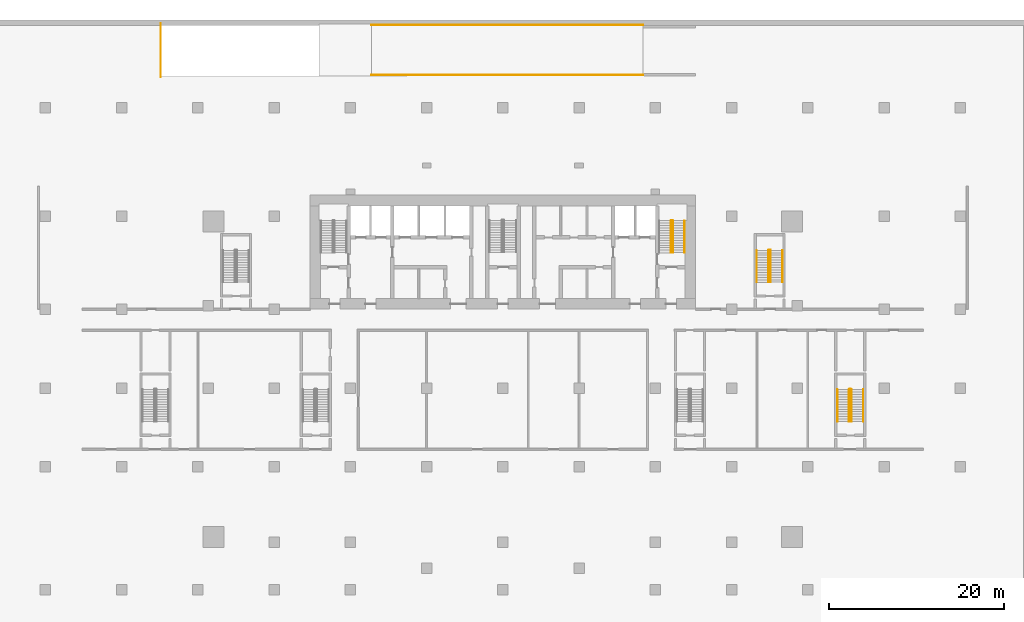
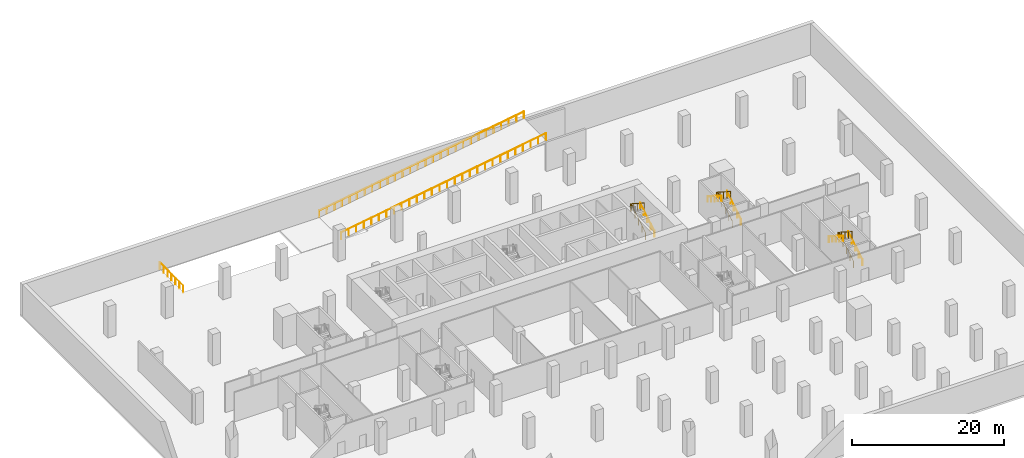
# One storey, part 8 of 8: 11 railings.
"""IFC4 building model written with IfcOpenShell, lengths in metres."""

import ifcopenshell
import ifcopenshell.guid

model = None  # the IFC model being written
_history = None  # IfcOwnerHistory: only IFC2X3 demands one
_inside = {}  # id of a spatial element -> (the spatial element, [elements in it])
_under = {}  # id of a project, library or spatial element -> (it, [spatial elements below it])
_declared = {}  # id of a project -> (the project, [libraries it declares])
_typed = {}  # id of a type object -> (the type object, [elements of that type])
_made_of = {}  # id of a material, layer set ... -> (it, [elements and type objects made of it])


def new_model(schema):
    """Start an empty IFC model of exactly this schema.

    Asked for "IFC4X3", IfcOpenShell would pick the latest addendum, in which some entities
    have other attributes; the version numbers below select the first issue.
    IFC2X3 requires an IfcOwnerHistory on every rooted entity: one is made here for all.
    """
    global model, _history
    if schema == "IFC4X3":
        model = ifcopenshell.file(schema_version=(4, 3, 0, 0))
    else:
        model = ifcopenshell.file(schema=schema)
    _inside.clear()
    _under.clear()
    _declared.clear()
    _typed.clear()
    _made_of.clear()
    _history = None
    if model.schema == "IFC2X3":
        org = make("IfcOrganization", Name="unknown")
        user = make(
            "IfcPersonAndOrganization",
            ThePerson=make("IfcPerson", FamilyName="unknown"),
            TheOrganization=org,
        )
        app = make(
            "IfcApplication",
            ApplicationDeveloper=org,
            Version="unknown",
            ApplicationFullName="unknown",
            ApplicationIdentifier="unknown",
        )
        _history = make(
            "IfcOwnerHistory",
            OwningUser=user,
            OwningApplication=app,
            ChangeAction="ADDED",
            CreationDate=0,
        )
    return model


def make(cls, **values):
    """One entity of the class cls with the attributes given. An attribute that is None is left unset."""
    return model.create_entity(
        cls, **{name: value for name, value in values.items() if value is not None}
    )


def rooted(cls, **values):
    """An entity with a GlobalId (a new one), such as an element, a storey or a relation."""
    return make(cls, GlobalId=ifcopenshell.guid.new(), OwnerHistory=_history, **values)


def si_unit(unit_type, name, prefix=None):
    """IfcSIUnit, for example si_unit("LENGTHUNIT", "METRE", prefix="MILLI")."""
    return make("IfcSIUnit", UnitType=unit_type, Prefix=prefix, Name=name)


def assignment(units):
    """IfcUnitAssignment: the units of a project."""
    return None if units is None else make("IfcUnitAssignment", Units=units)


def point(xyz):
    """IfcCartesianPoint."""
    return None if xyz is None else make("IfcCartesianPoint", Coordinates=xyz)


def direction(xyz):
    """IfcDirection."""
    return None if xyz is None else make("IfcDirection", DirectionRatios=xyz)


def frame(location, z_axis=None, x_axis=None):
    """IfcAxis2Placement3D, a coordinate frame: its origin and axes. An axis left out is left unset."""
    return make(
        "IfcAxis2Placement3D",
        Location=point(location),
        Axis=direction(z_axis),
        RefDirection=direction(x_axis),
    )


def frame_2d(location, x_axis=None):
    """IfcAxis2Placement2D, a coordinate frame in the plane: its origin and x axis."""
    return make(
        "IfcAxis2Placement2D", Location=point(location), RefDirection=direction(x_axis)
    )


def origin():
    """The frame at (0, 0, 0) with its axes left unset."""
    return frame((0.0, 0.0, 0.0))


def origin_2d():
    """The frame at (0, 0) in the plane with its x axis left unset."""
    return frame_2d((0.0, 0.0))


def place(relative_to, where):
    """IfcLocalPlacement: puts the frame where relative to a parent placement (None: the world)."""
    return make(
        "IfcLocalPlacement", PlacementRelTo=relative_to, RelativePlacement=where
    )


def context(
    kind, dimensions, precision=None, world=None, true_north=None, identifier=None
):
    """IfcGeometricRepresentationContext, for example the 3D "Model" context."""
    return make(
        "IfcGeometricRepresentationContext",
        ContextIdentifier=identifier,
        ContextType=kind,
        CoordinateSpaceDimension=dimensions,
        Precision=precision,
        WorldCoordinateSystem=world,
        TrueNorth=true_north,
    )


def subcontext(parent, identifier, kind, view, scale=None):
    """IfcGeometricRepresentationSubContext, for example "Body" below "Model"."""
    return make(
        "IfcGeometricRepresentationSubContext",
        ContextIdentifier=identifier,
        ContextType=kind,
        ParentContext=parent,
        TargetScale=scale,
        TargetView=view,
    )


def project(units=None, contexts=None):
    """IfcProject with its units and contexts."""
    return rooted(
        "IfcProject",
        Name="project",
        RepresentationContexts=contexts,
        UnitsInContext=assignment(units),
    )


def spatial(cls, under=None, at=None, **own):
    """A site, building, storey or space (cls), placed at a placement, below another one or the project."""
    s = rooted(cls, ObjectPlacement=at, **own)
    if under is not None:
        _under.setdefault(under.id(), (under, []))[1].append(s)
    return s


def profile(cls, at=None, kind="AREA", **sizes):
    """A parametric profile (cls). Its sizes go by their IFC names, for example OverallWidth=200.0."""
    return make(cls, ProfileType=kind, Position=at, **sizes)


def circle(**sizes):
    """IfcCircleProfileDef."""
    return profile("IfcCircleProfileDef", **sizes)


def extrude(swept, where, along, depth):
    """IfcExtrudedAreaSolid: the profile swept, set in the frame where, extruded along a direction by depth."""
    return make(
        "IfcExtrudedAreaSolid",
        SweptArea=swept,
        Position=where,
        ExtrudedDirection=direction(along),
        Depth=depth,
    )


def shape(context_of_items, identifier, shape_type, items):
    """IfcShapeRepresentation: the items that make up one representation, for example the "Body"."""
    return make(
        "IfcShapeRepresentation",
        ContextOfItems=context_of_items,
        RepresentationIdentifier=identifier,
        RepresentationType=shape_type,
        Items=items,
    )


def material(Name=None, Category=None):
    """IfcMaterial."""
    return make("IfcMaterial", Name=Name, Category=Category)


def made_of(thing, what):
    """Note that an element or type object is made of a material, layer set ...; save() writes the relation."""
    if what is not None:
        _made_of.setdefault(what.id(), (what, []))[1].append(thing)
    return thing


def type_object(cls, material=None, **own):
    """A type object (cls), such as IfcWallType, which elements share."""
    return made_of(rooted(cls, **own), material)


def element(
    cls,
    number,
    at=None,
    inside=None,
    cuts=None,
    type_object=None,
    material=None,
    context=None,
    identifier="Body",
    shape_type=None,
    held_by="IfcProductDefinitionShape",
    body=None,
    shapes=None,
    **own,
):
    """One element of the class cls, such as IfcWall. Its Tag is "e" and its number.

    at: its placement. inside: the storey or other place that contains it. cuts: it is an
    opening in that element (IfcRelVoidsElement). A single representation is given by context,
    identifier, shape_type and body (its items); several are given by shapes. held_by: the class
    of the entity that holds the representations. save() writes the other relations.
    """
    e = rooted(cls, Tag="e%d" % number, ObjectPlacement=at, **own)
    if body is not None:
        shapes = [shape(context, identifier, shape_type, body)]
    if shapes is not None:
        e.Representation = make(held_by, Representations=shapes)
    if inside is not None:
        _inside.setdefault(inside.id(), (inside, []))[1].append(e)
    if cuts is not None:
        rooted(
            "IfcRelVoidsElement", RelatingBuildingElement=cuts, RelatedOpeningElement=e
        )
    if type_object is not None:
        _typed.setdefault(type_object.id(), (type_object, []))[1].append(e)
    return made_of(e, material)


def aggregate(whole, parts):
    """IfcRelAggregates: a whole, such as a stair, and the parts it consists of."""
    return rooted("IfcRelAggregates", RelatingObject=whole, RelatedObjects=parts)


def save(model, path):
    """Write the relations noted so far, then the file.

    IfcRelAggregates (storeys below a building ...), IfcRelContainedInSpatialStructure (elements
    in a storey), IfcRelDefinesByType, IfcRelAssociatesMaterial and IfcRelDeclares: one each for
    every whole, place, type object, material and project.
    """
    for whole, parts in _under.values():
        aggregate(whole, parts)
    for where, things in _inside.values():
        rooted(
            "IfcRelContainedInSpatialStructure",
            RelatedElements=things,
            RelatingStructure=where,
        )
    for kind, things in _typed.values():
        rooted("IfcRelDefinesByType", RelatedObjects=things, RelatingType=kind)
    for what, things in _made_of.values():
        rooted("IfcRelAssociatesMaterial", RelatedObjects=things, RelatingMaterial=what)
    for by, libraries in _declared.values():
        rooted("IfcRelDeclares", RelatingContext=by, RelatedDefinitions=libraries)
    model.write(path)


model = new_model("IFC4")

# Units and contexts
model_context = context("Model", 3, precision=1e-05, world=origin(), true_north=direction((0.0, 1.0)))
body_context = subcontext(model_context, "Body", "Model", "MODEL_VIEW")
ifc_project = project(units=[si_unit("LENGTHUNIT", "METRE"), si_unit("AREAUNIT", "SQUARE_METRE"), si_unit("VOLUMEUNIT", "CUBIC_METRE"), si_unit("PLANEANGLEUNIT", "RADIAN"), si_unit("MASSUNIT", "GRAM", prefix="KILO")], contexts=[model_context])

# Site, building, storey
site_placement = place(None, origin())
site = spatial("IfcSite", under=ifc_project, at=site_placement, CompositionType="ELEMENT")
building_placement = place(site_placement, origin())
building = spatial("IfcBuilding", under=site, at=building_placement, Name="Bicima Exchange Tower", CompositionType="ELEMENT")
storey_placement = place(building_placement, frame((0.0, 0.0, -10.0)))
storey = spatial("IfcBuildingStorey", under=building, at=storey_placement, Name="B2", CompositionType="ELEMENT", Elevation=-10.0)

# Railings
ifc_material = material(Name="Stainless steel", Category="steel")
railing_type_1 = type_object("IfcRailingType", Name="Stair guard 1100", PredefinedType="GUARDRAIL", material=ifc_material)
railing_1_placement = place(storey_placement, frame((19.39990234375, -6.550048828125, 0.178466796875)))
element("IfcRailing", 1, at=railing_1_placement, inside=storey, type_object=railing_type_1, Name="B2 ST-E stair guard 1", PredefinedType="GUARDRAIL", context=body_context, shape_type="SweptSolid", body=[
    extrude(circle(Radius=0.02392578125, at=origin_2d()), frame((0.0, 0.0, 1.076171875), z_axis=(0.0, 0.843127859045, 0.537713132908), x_axis=(-1.0, 0.0, 0.0)), (0.0, 0.0, 1.0), 4.3173828125),
    extrude(circle(Radius=0.02392578125, at=origin_2d()), frame((0.0, 3.64013671875, 3.3974609375), z_axis=(-0.707106781187, 0.707106781187, 0.0), x_axis=(-0.707106781187, -0.707106781187, 0.0)), (0.0, 0.0, 1.0), 0.0703125),
    extrude(circle(Radius=0.02392578125, at=origin_2d()), frame((-0.0498046875, 3.68994140625, 3.3974609375), z_axis=(-1.0, 0.0, 0.0), x_axis=(0.0, -1.0, 0.0)), (0.0, 0.0, 1.0), 0.10009765625),
    extrude(circle(Radius=0.02392578125, at=origin_2d()), frame((-0.14990234375, 3.68994140625, 3.3974609375), z_axis=(-0.26077077684, -0.25949872427, 0.929870428634), x_axis=(0.705375805398, -0.708833529934, 0.0)), (0.0, 0.0, 1.0), 0.19189453125),
    extrude(circle(Radius=0.02392578125, at=origin_2d()), frame((-0.199951171875, 3.64013671875, 3.576171875), z_axis=(0.0, -0.843127859045, 0.537713132908), x_axis=(1.0, 0.0, 0.0)), (0.0, 0.0, 1.0), 4.3173828125),
    extrude(circle(Radius=0.02099609375, at=origin_2d()), origin(), (0.0, 0.0, 1.0), 1.052001953125),
    extrude(circle(Radius=0.02099609375, at=origin_2d()), frame((0.0, 0.91015625, 0.580322265625)), (0.0, 0.0, 1.0), 1.052001953125),
    extrude(circle(Radius=0.02099609375, at=origin_2d()), frame((0.0, 1.820068359375, 1.16064453125)), (0.0, 0.0, 1.0), 1.052001953125),
    extrude(circle(Radius=0.02099609375, at=origin_2d()), frame((0.0, 2.72998046875, 1.7412109375)), (0.0, 0.0, 1.0), 1.052001953125),
    extrude(circle(Radius=0.02099609375, at=origin_2d()), frame((0.0, 3.64013671875, 2.321533203125)), (0.0, 0.0, 1.0), 1.052001953125),
    extrude(circle(Radius=0.02099609375, at=origin_2d()), frame((-0.0498046875, 3.68994140625, 2.321533203125)), (0.0, 0.0, 1.0), 1.052001953125),
    extrude(circle(Radius=0.02099609375, at=origin_2d()), frame((-0.14990234375, 3.68994140625, 2.321533203125)), (0.0, 0.0, 1.0), 1.052001953125),
    extrude(circle(Radius=0.02099609375, at=origin_2d()), frame((-0.199951171875, 3.64013671875, 2.5)), (0.0, 0.0, 1.0), 1.052001953125),
    extrude(circle(Radius=0.02099609375, at=origin_2d()), frame((-0.199951171875, 2.72998046875, 3.080322265625)), (0.0, 0.0, 1.0), 1.052001953125),
    extrude(circle(Radius=0.02099609375, at=origin_2d()), frame((-0.199951171875, 1.820068359375, 3.66064453125)), (0.0, 0.0, 1.0), 1.052001953125),
    extrude(circle(Radius=0.02099609375, at=origin_2d()), frame((-0.199951171875, 0.91015625, 4.2412109375)), (0.0, 0.0, 1.0), 1.052001953125),
    extrude(circle(Radius=0.02099609375, at=origin_2d()), frame((-0.199951171875, 0.0, 4.821533203125)), (0.0, 0.0, 1.0), 1.052001953125),
])
railing_2_placement = place(storey_placement, frame((30.574951171875, -9.925048828125, 0.178466796875)))
element("IfcRailing", 2, at=railing_2_placement, inside=storey, type_object=railing_type_1, Name="B2 ST-EE stair guard 1", PredefinedType="GUARDRAIL", context=body_context, shape_type="SweptSolid", body=[
    extrude(circle(Radius=0.02392578125, at=origin_2d()), frame((0.0, 0.0, 1.076171875), z_axis=(0.0, 0.843127859045, 0.537713132908), x_axis=(-1.0, 0.0, 0.0)), (0.0, 0.0, 1.0), 4.3173828125),
    extrude(circle(Radius=0.02392578125, at=origin_2d()), frame((0.0, 3.64013671875, 3.3974609375), z_axis=(-0.708833529934, 0.705375805398, 0.0), x_axis=(-0.705375805398, -0.708833529934, 0.0)), (0.0, 0.0, 1.0), 0.070556640625),
    extrude(circle(Radius=0.02392578125, at=origin_2d()), frame((-0.050048828125, 3.68994140625, 3.3974609375), z_axis=(-1.0, 0.0, 0.0), x_axis=(0.0, -1.0, 0.0)), (0.0, 0.0, 1.0), 0.14990234375),
    extrude(circle(Radius=0.02392578125, at=origin_2d()), frame((-0.199951171875, 3.68994140625, 3.3974609375), z_axis=(-0.26077077684, -0.25949872427, 0.929870428634), x_axis=(0.705375805398, -0.708833529934, 0.0)), (0.0, 0.0, 1.0), 0.19189453125),
    extrude(circle(Radius=0.02392578125, at=origin_2d()), frame((-0.25, 3.64013671875, 3.576171875), z_axis=(0.0, -0.843127859045, 0.537713132908), x_axis=(1.0, 0.0, 0.0)), (0.0, 0.0, 1.0), 4.3173828125),
    extrude(circle(Radius=0.02099609375, at=origin_2d()), origin(), (0.0, 0.0, 1.0), 1.052001953125),
    extrude(circle(Radius=0.02099609375, at=origin_2d()), frame((0.0, 0.91015625, 0.580322265625)), (0.0, 0.0, 1.0), 1.052001953125),
    extrude(circle(Radius=0.02099609375, at=origin_2d()), frame((0.0, 1.820068359375, 1.16064453125)), (0.0, 0.0, 1.0), 1.052001953125),
    extrude(circle(Radius=0.02099609375, at=origin_2d()), frame((0.0, 2.72998046875, 1.7412109375)), (0.0, 0.0, 1.0), 1.052001953125),
    extrude(circle(Radius=0.02099609375, at=origin_2d()), frame((0.0, 3.64013671875, 2.321533203125)), (0.0, 0.0, 1.0), 1.052001953125),
    extrude(circle(Radius=0.02099609375, at=origin_2d()), frame((-0.050048828125, 3.68994140625, 2.321533203125)), (0.0, 0.0, 1.0), 1.052001953125),
    extrude(circle(Radius=0.02099609375, at=origin_2d()), frame((-0.199951171875, 3.68994140625, 2.321533203125)), (0.0, 0.0, 1.0), 1.052001953125),
    extrude(circle(Radius=0.02099609375, at=origin_2d()), frame((-0.25, 3.64013671875, 2.5)), (0.0, 0.0, 1.0), 1.052001953125),
    extrude(circle(Radius=0.02099609375, at=origin_2d()), frame((-0.25, 2.72998046875, 3.080322265625)), (0.0, 0.0, 1.0), 1.052001953125),
    extrude(circle(Radius=0.02099609375, at=origin_2d()), frame((-0.25, 1.820068359375, 3.66064453125)), (0.0, 0.0, 1.0), 1.052001953125),
    extrude(circle(Radius=0.02099609375, at=origin_2d()), frame((-0.25, 0.91015625, 4.2412109375)), (0.0, 0.0, 1.0), 1.052001953125),
    extrude(circle(Radius=0.02099609375, at=origin_2d()), frame((-0.25, 0.0, 4.821533203125)), (0.0, 0.0, 1.0), 1.052001953125),
])
railing_3_placement = place(storey_placement, frame((39.77490234375, -25.824951171875, 0.178466796875)))
element("IfcRailing", 3, at=railing_3_placement, inside=storey, type_object=railing_type_1, Name="B2 PS-E stair guard 1", PredefinedType="GUARDRAIL", context=body_context, shape_type="SweptSolid", body=[
    extrude(circle(Radius=0.02392578125, at=origin_2d()), frame((0.0, 0.0, 1.076171875), z_axis=(0.0, 0.843111507901, 0.53773877045), x_axis=(-1.0, 0.0, 0.0)), (0.0, 0.0, 1.0), 4.317138671875),
    extrude(circle(Radius=0.02392578125, at=origin_2d()), frame((0.0, 3.639892578125, 3.3974609375), z_axis=(-0.705375805398, 0.708833529934, 0.0), x_axis=(-0.708833529934, -0.705375805398, 0.0)), (0.0, 0.0, 1.0), 0.070556640625),
    extrude(circle(Radius=0.02392578125, at=origin_2d()), frame((-0.0498046875, 3.68994140625, 3.3974609375), z_axis=(-1.0, 0.0, 0.0), x_axis=(0.0, -1.0, 0.0)), (0.0, 0.0, 1.0), 0.150146484375),
    extrude(circle(Radius=0.02392578125, at=origin_2d()), frame((-0.199951171875, 3.68994140625, 3.3974609375), z_axis=(-0.260684529273, -0.260684529273, 0.929562882432), x_axis=(0.707106781187, -0.707106781187, 0.0)), (0.0, 0.0, 1.0), 0.19189453125),
    extrude(circle(Radius=0.02392578125, at=origin_2d()), frame((-0.25, 3.639892578125, 3.576171875), z_axis=(0.0, -0.843111507901, 0.53773877045), x_axis=(1.0, 0.0, 0.0)), (0.0, 0.0, 1.0), 4.317138671875),
    extrude(circle(Radius=0.02099609375, at=origin_2d()), origin(), (0.0, 0.0, 1.0), 1.052001953125),
    extrude(circle(Radius=0.02099609375, at=origin_2d()), frame((0.0, 0.909912109375, 0.580322265625)), (0.0, 0.0, 1.0), 1.052001953125),
    extrude(circle(Radius=0.02099609375, at=origin_2d()), frame((0.0, 1.81982421875, 1.16064453125)), (0.0, 0.0, 1.0), 1.052001953125),
    extrude(circle(Radius=0.02099609375, at=origin_2d()), frame((0.0, 2.72998046875, 1.7412109375)), (0.0, 0.0, 1.0), 1.052001953125),
    extrude(circle(Radius=0.02099609375, at=origin_2d()), frame((0.0, 3.639892578125, 2.321533203125)), (0.0, 0.0, 1.0), 1.052001953125),
    extrude(circle(Radius=0.02099609375, at=origin_2d()), frame((-0.0498046875, 3.68994140625, 2.321533203125)), (0.0, 0.0, 1.0), 1.052001953125),
    extrude(circle(Radius=0.02099609375, at=origin_2d()), frame((-0.199951171875, 3.68994140625, 2.321533203125)), (0.0, 0.0, 1.0), 1.052001953125),
    extrude(circle(Radius=0.02099609375, at=origin_2d()), frame((-0.25, 3.639892578125, 2.5)), (0.0, 0.0, 1.0), 1.052001953125),
    extrude(circle(Radius=0.02099609375, at=origin_2d()), frame((-0.25, 2.72998046875, 3.080322265625)), (0.0, 0.0, 1.0), 1.052001953125),
    extrude(circle(Radius=0.02099609375, at=origin_2d()), frame((-0.25, 1.81982421875, 3.66064453125)), (0.0, 0.0, 1.0), 1.052001953125),
    extrude(circle(Radius=0.02099609375, at=origin_2d()), frame((-0.25, 0.909912109375, 4.2412109375)), (0.0, 0.0, 1.0), 1.052001953125),
    extrude(circle(Radius=0.02099609375, at=origin_2d()), frame((-0.25, 0.0, 4.821533203125)), (0.0, 0.0, 1.0), 1.052001953125),
])
railing_type_2 = type_object("IfcRailingType", Name="Stair handrail 900", PredefinedType="HANDRAIL", material=ifc_material)
for number, where, name in (
    (4, (20.75, -6.550048828125, 0.178466796875), "B2 ST-E stair handrail 1"),
    (5, (31.925048828125, -9.925048828125, 0.178466796875), "B2 ST-EE stair handrail 1"),
):
    element("IfcRailing", number, at=place(storey_placement, frame(where)), inside=storey, type_object=railing_type_2, Name=name, PredefinedType="HANDRAIL", context=body_context, shape_type="SweptSolid", body=[
        extrude(circle(Radius=0.02392578125, at=origin_2d()), frame((0.0, 0.0, 0.8759765625), z_axis=(0.0, 0.843127859045, 0.537713132908), x_axis=(-1.0, 0.0, 0.0)), (0.0, 0.0, 1.0), 4.3173828125),
        extrude(circle(Radius=0.02099609375, at=origin_2d()), origin(), (0.0, 0.0, 1.0), 0.851806640625),
        extrude(circle(Radius=0.02099609375, at=origin_2d()), frame((0.0, 0.91015625, 0.580322265625)), (0.0, 0.0, 1.0), 0.851806640625),
        extrude(circle(Radius=0.02099609375, at=origin_2d()), frame((0.0, 1.820068359375, 1.16064453125)), (0.0, 0.0, 1.0), 0.851806640625),
        extrude(circle(Radius=0.02099609375, at=origin_2d()), frame((0.0, 2.72998046875, 1.7412109375)), (0.0, 0.0, 1.0), 0.851806640625),
        extrude(circle(Radius=0.02099609375, at=origin_2d()), frame((0.0, 3.64013671875, 2.321533203125)), (0.0, 0.0, 1.0), 0.851806640625),
    ])
railing_4_placement = place(storey_placement, frame((28.97509765625, -6.284912109375, 2.678466796875)))
element("IfcRailing", 6, at=railing_4_placement, inside=storey, type_object=railing_type_2, Name="B2 ST-EE stair handrail 2", PredefinedType="HANDRAIL", context=body_context, shape_type="SweptSolid", body=[
    extrude(circle(Radius=0.02392578125, at=origin_2d()), frame((0.0, 0.0, 0.8759765625), z_axis=(0.0, -0.843127859045, 0.537713132908), x_axis=(1.0, 0.0, 0.0)), (0.0, 0.0, 1.0), 4.3173828125),
    extrude(circle(Radius=0.02099609375, at=origin_2d()), origin(), (0.0, 0.0, 1.0), 0.851806640625),
    extrude(circle(Radius=0.02099609375, at=origin_2d()), frame((0.0, -0.91015625, 0.580322265625)), (0.0, 0.0, 1.0), 0.851806640625),
    extrude(circle(Radius=0.02099609375, at=origin_2d()), frame((0.0, -1.820068359375, 1.16064453125)), (0.0, 0.0, 1.0), 0.851806640625),
    extrude(circle(Radius=0.02099609375, at=origin_2d()), frame((0.0, -2.72998046875, 1.7412109375)), (0.0, 0.0, 1.0), 0.851806640625),
    extrude(circle(Radius=0.02099609375, at=origin_2d()), frame((0.0, -3.64013671875, 2.321533203125)), (0.0, 0.0, 1.0), 0.851806640625),
])
railing_5_placement = place(storey_placement, frame((41.125, -25.824951171875, 0.178466796875)))
element("IfcRailing", 7, at=railing_5_placement, inside=storey, type_object=railing_type_2, Name="B2 PS-E stair handrail 1", PredefinedType="HANDRAIL", context=body_context, shape_type="SweptSolid", body=[
    extrude(circle(Radius=0.02392578125, at=origin_2d()), frame((0.0, 0.0, 0.8759765625), z_axis=(0.0, 0.843111507901, 0.53773877045), x_axis=(-1.0, 0.0, 0.0)), (0.0, 0.0, 1.0), 4.317138671875),
    extrude(circle(Radius=0.02099609375, at=origin_2d()), origin(), (0.0, 0.0, 1.0), 0.851806640625),
    extrude(circle(Radius=0.02099609375, at=origin_2d()), frame((0.0, 0.909912109375, 0.580322265625)), (0.0, 0.0, 1.0), 0.851806640625),
    extrude(circle(Radius=0.02099609375, at=origin_2d()), frame((0.0, 1.81982421875, 1.16064453125)), (0.0, 0.0, 1.0), 0.851806640625),
    extrude(circle(Radius=0.02099609375, at=origin_2d()), frame((0.0, 2.72998046875, 1.7412109375)), (0.0, 0.0, 1.0), 0.851806640625),
    extrude(circle(Radius=0.02099609375, at=origin_2d()), frame((0.0, 3.639892578125, 2.321533203125)), (0.0, 0.0, 1.0), 0.851806640625),
])
railing_6_placement = place(storey_placement, frame((38.175048828125, -22.18505859375, 2.678466796875)))
element("IfcRailing", 8, at=railing_6_placement, inside=storey, type_object=railing_type_2, Name="B2 PS-E stair handrail 2", PredefinedType="HANDRAIL", context=body_context, shape_type="SweptSolid", body=[
    extrude(circle(Radius=0.02392578125, at=origin_2d()), frame((0.0, 0.0, 0.8759765625), z_axis=(0.0, -0.843111507901, 0.53773877045), x_axis=(1.0, 0.0, 0.0)), (0.0, 0.0, 1.0), 4.317138671875),
    extrude(circle(Radius=0.02099609375, at=origin_2d()), origin(), (0.0, 0.0, 1.0), 0.851806640625),
    extrude(circle(Radius=0.02099609375, at=origin_2d()), frame((0.0, -0.909912109375, 0.580322265625)), (0.0, 0.0, 1.0), 0.851806640625),
    extrude(circle(Radius=0.02099609375, at=origin_2d()), frame((0.0, -1.81982421875, 1.16064453125)), (0.0, 0.0, 1.0), 0.851806640625),
    extrude(circle(Radius=0.02099609375, at=origin_2d()), frame((0.0, -2.72998046875, 1.7412109375)), (0.0, 0.0, 1.0), 0.851806640625),
    extrude(circle(Radius=0.02099609375, at=origin_2d()), frame((0.0, -3.639892578125, 2.321533203125)), (0.0, 0.0, 1.0), 0.851806640625),
])
railing_7_placement = place(storey_placement, frame((-15.0, 13.699951171875, 0.0)))
element("IfcRailing", 9, at=railing_7_placement, inside=storey, Name="Ramp guard 2 south", PredefinedType="GUARDRAIL", context=body_context, shape_type="SweptSolid", body=[
    extrude(circle(Radius=0.02392578125, at=origin_2d()), frame((0.0, 0.0, 1.076171875), z_axis=(0.987241120713, 0.0, 0.159232438825), x_axis=(0.0, 1.0, 0.0)), (0.0, 0.0, 1.0), 31.400634765625),
    extrude(circle(Radius=0.02099609375, at=origin_2d()), origin(), (0.0, 0.0, 1.0), 1.052001953125),
    extrude(circle(Radius=0.02099609375, at=origin_2d()), frame((1.148193359375, 0.0, 0.185302734375)), (0.0, 0.0, 1.0), 1.052001953125),
    extrude(circle(Radius=0.02099609375, at=origin_2d()), frame((2.29638671875, 0.0, 0.370361328125)), (0.0, 0.0, 1.0), 1.052001953125),
    extrude(circle(Radius=0.02099609375, at=origin_2d()), frame((3.4443359375, 0.0, 0.5556640625)), (0.0, 0.0, 1.0), 1.052001953125),
    extrude(circle(Radius=0.02099609375, at=origin_2d()), frame((4.592529296875, 0.0, 0.74072265625)), (0.0, 0.0, 1.0), 1.052001953125),
    extrude(circle(Radius=0.02099609375, at=origin_2d()), frame((5.74072265625, 0.0, 0.926025390625)), (0.0, 0.0, 1.0), 1.052001953125),
    extrude(circle(Radius=0.02099609375, at=origin_2d()), frame((6.888916015625, 0.0, 1.111083984375)), (0.0, 0.0, 1.0), 1.052001953125),
    extrude(circle(Radius=0.02099609375, at=origin_2d()), frame((8.037109375, 0.0, 1.29638671875)), (0.0, 0.0, 1.0), 1.052001953125),
    extrude(circle(Radius=0.02099609375, at=origin_2d()), frame((9.185302734375, 0.0, 1.4814453125)), (0.0, 0.0, 1.0), 1.052001953125),
    extrude(circle(Radius=0.02099609375, at=origin_2d()), frame((10.333251953125, 0.0, 1.666748046875)), (0.0, 0.0, 1.0), 1.052001953125),
    extrude(circle(Radius=0.02099609375, at=origin_2d()), frame((11.4814453125, 0.0, 1.851806640625)), (0.0, 0.0, 1.0), 1.052001953125),
    extrude(circle(Radius=0.02099609375, at=origin_2d()), frame((12.629638671875, 0.0, 2.037109375)), (0.0, 0.0, 1.0), 1.052001953125),
    extrude(circle(Radius=0.02099609375, at=origin_2d()), frame((13.77783203125, 0.0, 2.22216796875)), (0.0, 0.0, 1.0), 1.052001953125),
    extrude(circle(Radius=0.02099609375, at=origin_2d()), frame((14.926025390625, 0.0, 2.407470703125)), (0.0, 0.0, 1.0), 1.052001953125),
    extrude(circle(Radius=0.02099609375, at=origin_2d()), frame((16.073974609375, 0.0, 2.592529296875)), (0.0, 0.0, 1.0), 1.052001953125),
    extrude(circle(Radius=0.02099609375, at=origin_2d()), frame((17.22216796875, 0.0, 2.77783203125)), (0.0, 0.0, 1.0), 1.052001953125),
    extrude(circle(Radius=0.02099609375, at=origin_2d()), frame((18.370361328125, 0.0, 2.962890625)), (0.0, 0.0, 1.0), 1.052001953125),
    extrude(circle(Radius=0.02099609375, at=origin_2d()), frame((19.5185546875, 0.0, 3.148193359375)), (0.0, 0.0, 1.0), 1.052001953125),
    extrude(circle(Radius=0.02099609375, at=origin_2d()), frame((20.666748046875, 0.0, 3.333251953125)), (0.0, 0.0, 1.0), 1.052001953125),
    extrude(circle(Radius=0.02099609375, at=origin_2d()), frame((21.814697265625, 0.0, 3.5185546875)), (0.0, 0.0, 1.0), 1.052001953125),
    extrude(circle(Radius=0.02099609375, at=origin_2d()), frame((22.962890625, 0.0, 3.70361328125)), (0.0, 0.0, 1.0), 1.052001953125),
    extrude(circle(Radius=0.02099609375, at=origin_2d()), frame((24.111083984375, 0.0, 3.888916015625)), (0.0, 0.0, 1.0), 1.052001953125),
    extrude(circle(Radius=0.02099609375, at=origin_2d()), frame((25.25927734375, 0.0, 4.073974609375)), (0.0, 0.0, 1.0), 1.052001953125),
    extrude(circle(Radius=0.02099609375, at=origin_2d()), frame((26.407470703125, 0.0, 4.25927734375)), (0.0, 0.0, 1.0), 1.052001953125),
    extrude(circle(Radius=0.02099609375, at=origin_2d()), frame((27.5556640625, 0.0, 4.4443359375)), (0.0, 0.0, 1.0), 1.052001953125),
    extrude(circle(Radius=0.02099609375, at=origin_2d()), frame((28.70361328125, 0.0, 4.629638671875)), (0.0, 0.0, 1.0), 1.052001953125),
    extrude(circle(Radius=0.02099609375, at=origin_2d()), frame((29.851806640625, 0.0, 4.814697265625)), (0.0, 0.0, 1.0), 1.052001953125),
    extrude(circle(Radius=0.02099609375, at=origin_2d()), frame((31.0, 0.0, 5.0)), (0.0, 0.0, 1.0), 1.052001953125),
])
railing_8_placement = place(storey_placement, frame((-15.0, 19.449951171875, 0.0)))
element("IfcRailing", 10, at=railing_8_placement, inside=storey, Name="Ramp guard 2 north", PredefinedType="GUARDRAIL", context=body_context, shape_type="SweptSolid", body=[
    extrude(circle(Radius=0.02392578125, at=origin_2d()), frame((0.0, 0.0, 1.076171875), z_axis=(0.987241120713, 0.0, 0.159232438825), x_axis=(0.0, 1.0, 0.0)), (0.0, 0.0, 1.0), 31.400634765625),
    extrude(circle(Radius=0.02099609375, at=origin_2d()), origin(), (0.0, 0.0, 1.0), 1.052001953125),
    extrude(circle(Radius=0.02099609375, at=origin_2d()), frame((1.148193359375, 0.0, 0.185302734375)), (0.0, 0.0, 1.0), 1.052001953125),
    extrude(circle(Radius=0.02099609375, at=origin_2d()), frame((2.29638671875, 0.0, 0.370361328125)), (0.0, 0.0, 1.0), 1.052001953125),
    extrude(circle(Radius=0.02099609375, at=origin_2d()), frame((3.4443359375, 0.0, 0.5556640625)), (0.0, 0.0, 1.0), 1.052001953125),
    extrude(circle(Radius=0.02099609375, at=origin_2d()), frame((4.592529296875, 0.0, 0.74072265625)), (0.0, 0.0, 1.0), 1.052001953125),
    extrude(circle(Radius=0.02099609375, at=origin_2d()), frame((5.74072265625, 0.0, 0.926025390625)), (0.0, 0.0, 1.0), 1.052001953125),
    extrude(circle(Radius=0.02099609375, at=origin_2d()), frame((6.888916015625, 0.0, 1.111083984375)), (0.0, 0.0, 1.0), 1.052001953125),
    extrude(circle(Radius=0.02099609375, at=origin_2d()), frame((8.037109375, 0.0, 1.29638671875)), (0.0, 0.0, 1.0), 1.052001953125),
    extrude(circle(Radius=0.02099609375, at=origin_2d()), frame((9.185302734375, 0.0, 1.4814453125)), (0.0, 0.0, 1.0), 1.052001953125),
    extrude(circle(Radius=0.02099609375, at=origin_2d()), frame((10.333251953125, 0.0, 1.666748046875)), (0.0, 0.0, 1.0), 1.052001953125),
    extrude(circle(Radius=0.02099609375, at=origin_2d()), frame((11.4814453125, 0.0, 1.851806640625)), (0.0, 0.0, 1.0), 1.052001953125),
    extrude(circle(Radius=0.02099609375, at=origin_2d()), frame((12.629638671875, 0.0, 2.037109375)), (0.0, 0.0, 1.0), 1.052001953125),
    extrude(circle(Radius=0.02099609375, at=origin_2d()), frame((13.77783203125, 0.0, 2.22216796875)), (0.0, 0.0, 1.0), 1.052001953125),
    extrude(circle(Radius=0.02099609375, at=origin_2d()), frame((14.926025390625, 0.0, 2.407470703125)), (0.0, 0.0, 1.0), 1.052001953125),
    extrude(circle(Radius=0.02099609375, at=origin_2d()), frame((16.073974609375, 0.0, 2.592529296875)), (0.0, 0.0, 1.0), 1.052001953125),
    extrude(circle(Radius=0.02099609375, at=origin_2d()), frame((17.22216796875, 0.0, 2.77783203125)), (0.0, 0.0, 1.0), 1.052001953125),
    extrude(circle(Radius=0.02099609375, at=origin_2d()), frame((18.370361328125, 0.0, 2.962890625)), (0.0, 0.0, 1.0), 1.052001953125),
    extrude(circle(Radius=0.02099609375, at=origin_2d()), frame((19.5185546875, 0.0, 3.148193359375)), (0.0, 0.0, 1.0), 1.052001953125),
    extrude(circle(Radius=0.02099609375, at=origin_2d()), frame((20.666748046875, 0.0, 3.333251953125)), (0.0, 0.0, 1.0), 1.052001953125),
    extrude(circle(Radius=0.02099609375, at=origin_2d()), frame((21.814697265625, 0.0, 3.5185546875)), (0.0, 0.0, 1.0), 1.052001953125),
    extrude(circle(Radius=0.02099609375, at=origin_2d()), frame((22.962890625, 0.0, 3.70361328125)), (0.0, 0.0, 1.0), 1.052001953125),
    extrude(circle(Radius=0.02099609375, at=origin_2d()), frame((24.111083984375, 0.0, 3.888916015625)), (0.0, 0.0, 1.0), 1.052001953125),
    extrude(circle(Radius=0.02099609375, at=origin_2d()), frame((25.25927734375, 0.0, 4.073974609375)), (0.0, 0.0, 1.0), 1.052001953125),
    extrude(circle(Radius=0.02099609375, at=origin_2d()), frame((26.407470703125, 0.0, 4.25927734375)), (0.0, 0.0, 1.0), 1.052001953125),
    extrude(circle(Radius=0.02099609375, at=origin_2d()), frame((27.5556640625, 0.0, 4.4443359375)), (0.0, 0.0, 1.0), 1.052001953125),
    extrude(circle(Radius=0.02099609375, at=origin_2d()), frame((28.70361328125, 0.0, 4.629638671875)), (0.0, 0.0, 1.0), 1.052001953125),
    extrude(circle(Radius=0.02099609375, at=origin_2d()), frame((29.851806640625, 0.0, 4.814697265625)), (0.0, 0.0, 1.0), 1.052001953125),
    extrude(circle(Radius=0.02099609375, at=origin_2d()), frame((31.0, 0.0, 5.0)), (0.0, 0.0, 1.0), 1.052001953125),
])
railing_9_placement = place(storey_placement, frame((-39.0400390625, 13.489990234375, 0.0)))
element("IfcRailing", 11, at=railing_9_placement, inside=storey, Name="Ramp opening guard B2 west", PredefinedType="GUARDRAIL", context=body_context, shape_type="SweptSolid", body=[
    extrude(circle(Radius=0.02392578125, at=origin_2d()), frame((0.0, 0.0, 1.076171875), z_axis=(0.0, 1.0, 0.0), x_axis=(-1.0, 0.0, 0.0)), (0.0, 0.0, 1.0), 6.110107421875),
    extrude(circle(Radius=0.02099609375, at=origin_2d()), origin(), (0.0, 0.0, 1.0), 1.052001953125),
    extrude(circle(Radius=0.02099609375, at=origin_2d()), frame((0.0, 1.018310546875, 0.0)), (0.0, 0.0, 1.0), 1.052001953125),
    extrude(circle(Radius=0.02099609375, at=origin_2d()), frame((0.0, 2.03662109375, 0.0)), (0.0, 0.0, 1.0), 1.052001953125),
    extrude(circle(Radius=0.02099609375, at=origin_2d()), frame((0.0, 3.05517578125, 0.0)), (0.0, 0.0, 1.0), 1.052001953125),
    extrude(circle(Radius=0.02099609375, at=origin_2d()), frame((0.0, 4.073486328125, 0.0)), (0.0, 0.0, 1.0), 1.052001953125),
    extrude(circle(Radius=0.02099609375, at=origin_2d()), frame((0.0, 5.091796875, 0.0)), (0.0, 0.0, 1.0), 1.052001953125),
    extrude(circle(Radius=0.02099609375, at=origin_2d()), frame((0.0, 6.110107421875, 0.0)), (0.0, 0.0, 1.0), 1.052001953125),
])

save(model, "model.ifc")
